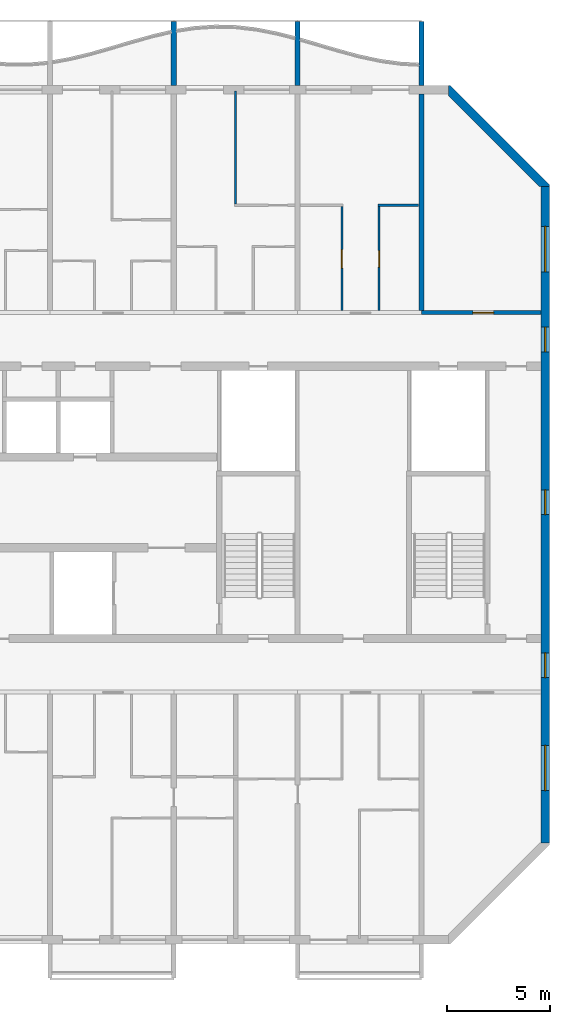
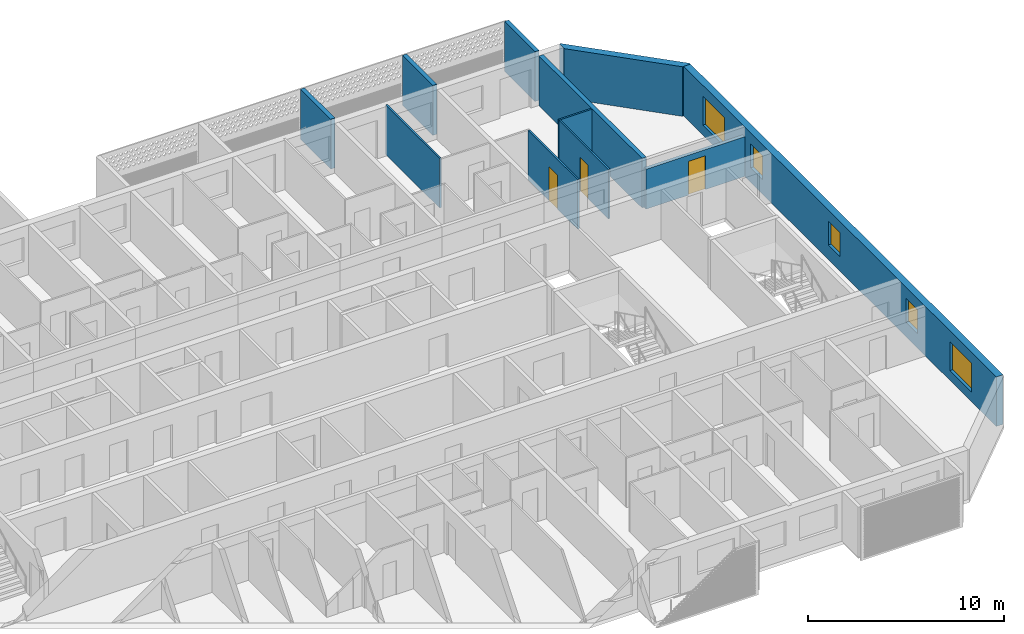
# One storey, part 11 of 28: 11 walls, 5 windows, 3 doors, 8 openings.
"""IFC4 building model written with IfcOpenShell, lengths in metres."""

from ifc_helpers import new_model, si_unit, direction, frame, frame_2d, origin, place, context, subcontext, project, spatial, polyline, rectangle, outline, extrude, source, transform, mapped, material, layer, layer_set, type_object, element, fill, save


model = new_model("IFC4")

# Units and contexts
model_context = context("Model", 3, precision=1e-05, world=origin(), true_north=direction((0.0, 1.0)))
body_context = subcontext(model_context, "Body", "Model", "MODEL_VIEW")
ifc_project = project(units=[si_unit("LENGTHUNIT", "METRE"), si_unit("AREAUNIT", "SQUARE_METRE"), si_unit("VOLUMEUNIT", "CUBIC_METRE"), si_unit("PLANEANGLEUNIT", "RADIAN"), si_unit("MASSUNIT", "GRAM", prefix="KILO")], contexts=[model_context])

# Site, building, storey
site_placement = place(None, origin())
site = spatial("IfcSite", under=ifc_project, at=site_placement, CompositionType="ELEMENT")
building_placement = place(site_placement, origin())
building = spatial("IfcBuilding", under=site, at=building_placement, Name="Poui Terraces", CompositionType="ELEMENT")
storey_placement = place(building_placement, frame((0.0, 0.0, 181.800048828125)))
storey = spatial("IfcBuildingStorey", under=building, at=storey_placement, Name="L50", CompositionType="ELEMENT", Elevation=181.800048828125)

# Wall, opening, door
ifc_material_1 = material(Name="Concrete 50 MPa", Category="concrete")
ifc_layer_1 = layer(ifc_material_1, 0.199951171875)
ifc_layer_set_1 = layer_set([ifc_layer_1], Name="Concrete 50 MPa")
wall_type_1 = type_object("IfcWallType", Name="CORRIDOR WALL 200 50MPa", PredefinedType="SHEAR", material=ifc_layer_set_1)
wall_1_placement = place(storey_placement, frame((78.0, 30.39990234375, 0.0), z_axis=(0.0, 0.0, 1.0), x_axis=(1.0, 0.0, 0.0)))
wall_1 = element("IfcWall", 1, at=wall_1_placement, inside=storey, type_object=wall_type_1, Name="CORRIDOR WALL LINE E BAY 11", PredefinedType="SHEAR", context=body_context, shape_type="SweptSolid", body=[
    extrude(rectangle(XDim=5.800048828125, YDim=0.199951171875, at=frame_2d((2.89990234375, 0.0))), origin(), (0.0, 0.0, 1.0), 2.47998046875),
])
opening_1_placement = place(wall_1_placement, frame((2.5, 0.0, 0.0)))
opening_1 = element("IfcOpeningElement", 2, at=opening_1_placement, cuts=wall_1, Name="Opening D100", PredefinedType="OPENING", context=body_context, shape_type="SweptSolid", body=[
    extrude(rectangle(XDim=1.0, YDim=2.10009765625, at=frame_2d((0.5, 1.050048828125))), frame((0.0, 0.10986328125, 0.0), z_axis=(0.0, -1.0, 0.0), x_axis=(1.0, 0.0, 0.0)), (0.0, 0.0, 1.0), 0.219970703125),
])
ifc_material_2 = material(Name="Solid core timber door", Category="wood")
door_type_1 = type_object("IfcDoorType", Name="ACCESSIBLE INTERNAL DOOR 1000 X 2100", OperationType="NOTDEFINED", PredefinedType="DOOR", material=ifc_material_2)
door_1_placement = place(opening_1_placement, origin())
door_1 = element("IfcDoor", 3, at=door_1_placement, inside=storey, type_object=door_type_1, Name="ACCESSIBLE INTERNAL DOOR 063", OperationType="SINGLE_SWING_LEFT", OverallHeight=2.10009765625, OverallWidth=1.0, PredefinedType="DOOR", context=body_context, shape_type="SweptSolid", body=[
    extrude(rectangle(XDim=1.0, YDim=2.10009765625, at=frame_2d((0.5, 1.050048828125))), frame((0.0, 0.02490234375, 0.0), z_axis=(0.0, -1.0, 0.0), x_axis=(1.0, 0.0, 0.0)), (0.0, 0.0, 1.0), 0.050048828125),
])
fill(opening_1, door_1)

# Wall
ifc_layer_2 = layer(ifc_material_1, 0.25)
ifc_layer_set_2 = layer_set([ifc_layer_2], Name="Concrete 50 MPa")
wall_type_2 = type_object("IfcWallType", Name="CROSS WALL 250 50MPa", PredefinedType="SHEAR", material=ifc_layer_set_2)
wall_2_placement = place(storey_placement, frame((78.0, 30.5, 0.0), z_axis=(0.0, 0.0, 1.0), x_axis=(0.0, 1.0, 0.0)))
element("IfcWall", 4, at=wall_2_placement, inside=storey, type_object=wall_type_2, Name="CROSS WALL LINE 14 NORTH", PredefinedType="SHEAR", context=body_context, shape_type="SweptSolid", body=[
    extrude(rectangle(XDim=10.5, YDim=0.25, at=frame_2d((5.25, 0.0))), origin(), (0.0, 0.0, 1.0), 3.079833984375),
])

# Wall, openings, windows
ifc_layer_3 = layer(ifc_material_1, 0.39990234375)
ifc_layer_set_3 = layer_set([ifc_layer_3], Name="Concrete 50 MPa")
wall_type_3 = type_object("IfcWallType", Name="END WALL 400 50MPa", PredefinedType="SHEAR", material=ifc_layer_set_3)
wall_3_placement = place(storey_placement, frame((84.0, 4.682861328125, 0.0), z_axis=(0.0, 0.0, 1.0), x_axis=(0.0, 1.0, 0.0)))
wall_3 = element("IfcWall", 5, at=wall_3_placement, inside=storey, type_object=wall_type_3, Name="END WALL EAST", PredefinedType="SHEAR", context=body_context, shape_type="SweptSolid", body=[
    extrude(rectangle(XDim=31.834228515625, YDim=0.39990234375, at=frame_2d((15.9169921875, 0.0))), origin(), (0.0, 0.0, 1.0), 3.079833984375),
])
opening_2_placement = place(wall_3_placement, frame((23.817138671875, 0.0, 0.89990234375)))
opening_2 = element("IfcOpeningElement", 6, at=opening_2_placement, cuts=wall_3, Name="Opening W2", PredefinedType="OPENING", context=body_context, shape_type="SweptSolid", body=[
    extrude(rectangle(XDim=1.199951171875, YDim=1.5, at=frame_2d((0.60009765625, 0.75))), frame((0.0, 0.2099609375, 0.0), z_axis=(0.0, -1.0, 0.0), x_axis=(1.0, 0.0, 0.0)), (0.0, 0.0, 1.0), 0.419921875),
])
opening_3_placement = place(wall_3_placement, frame((8.01708984375, 0.0, 0.89990234375)))
opening_3 = element("IfcOpeningElement", 7, at=opening_3_placement, cuts=wall_3, Name="Opening W2", PredefinedType="OPENING", context=body_context, shape_type="SweptSolid", body=[
    extrude(rectangle(XDim=1.199951171875, YDim=1.5, at=frame_2d((0.60009765625, 0.75))), frame((0.0, 0.2099609375, 0.0), z_axis=(0.0, -1.0, 0.0), x_axis=(1.0, 0.0, 0.0)), (0.0, 0.0, 1.0), 0.419921875),
])
opening_4_placement = place(wall_3_placement, frame((27.693603515625, 0.0, 0.60009765625)))
opening_4 = element("IfcOpeningElement", 8, at=opening_4_placement, cuts=wall_3, Name="Opening W3", PredefinedType="OPENING", context=body_context, shape_type="SweptSolid", body=[
    extrude(rectangle(XDim=2.199951171875, YDim=1.800048828125, at=frame_2d((1.10009765625, 0.89990234375))), frame((0.0, 0.2099609375, 0.0), z_axis=(0.0, -1.0, 0.0), x_axis=(1.0, 0.0, 0.0)), (0.0, 0.0, 1.0), 0.419921875),
])
opening_5_placement = place(wall_3_placement, frame((2.541015625, 0.0, 0.60009765625)))
opening_5 = element("IfcOpeningElement", 9, at=opening_5_placement, cuts=wall_3, Name="Opening W3", PredefinedType="OPENING", context=body_context, shape_type="SweptSolid", body=[
    extrude(rectangle(XDim=2.199951171875, YDim=1.800048828125, at=frame_2d((1.10009765625, 0.89990234375))), frame((0.0, 0.2099609375, 0.0), z_axis=(0.0, -1.0, 0.0), x_axis=(1.0, 0.0, 0.0)), (0.0, 0.0, 1.0), 0.419921875),
])
opening_6_placement = place(wall_3_placement, frame((15.917236328125, 0.0, 0.89990234375)))
opening_6 = element("IfcOpeningElement", 10, at=opening_6_placement, cuts=wall_3, Name="Opening W2", PredefinedType="OPENING", context=body_context, shape_type="SweptSolid", body=[
    extrude(rectangle(XDim=1.199951171875, YDim=1.5, at=frame_2d((0.60009765625, 0.75))), frame((0.0, 0.2099609375, 0.0), z_axis=(0.0, -1.0, 0.0), x_axis=(1.0, 0.0, 0.0)), (0.0, 0.0, 1.0), 0.419921875),
])
ifc_material_3 = material(Name="Clear glass in aluminium frame", Category="aluminium")
window_type_1 = type_object("IfcWindowType", Name="WINDOW 1200X1500", PartitioningType="SINGLE_PANEL", PredefinedType="WINDOW", material=ifc_material_3)
window_1_placement = place(opening_2_placement, origin())
window_1 = element("IfcWindow", 11, at=window_1_placement, inside=storey, type_object=window_type_1, Name="W2 WINDOW", OverallHeight=1.5, OverallWidth=1.199951171875, PartitioningType="SINGLE_PANEL", PredefinedType="WINDOW", context=body_context, shape_type="SweptSolid", body=[
    extrude(rectangle(XDim=1.199951171875, YDim=1.5, at=frame_2d((0.60009765625, 0.75))), frame((0.0, 0.030029296875, 0.0), z_axis=(0.0, -1.0, 0.0), x_axis=(1.0, 0.0, 0.0)), (0.0, 0.0, 1.0), 0.06005859375),
])
fill(opening_2, window_1)
window_2_placement = place(opening_3_placement, origin())
window_2 = element("IfcWindow", 12, at=window_2_placement, inside=storey, type_object=window_type_1, Name="W2 WINDOW", OverallHeight=1.5, OverallWidth=1.199951171875, PartitioningType="SINGLE_PANEL", PredefinedType="WINDOW", context=body_context, shape_type="SweptSolid", body=[
    extrude(rectangle(XDim=1.199951171875, YDim=1.5, at=frame_2d((0.60009765625, 0.75))), frame((0.0, 0.030029296875, 0.0), z_axis=(0.0, -1.0, 0.0), x_axis=(1.0, 0.0, 0.0)), (0.0, 0.0, 1.0), 0.06005859375),
])
fill(opening_3, window_2)
window_3_placement = place(opening_6_placement, origin())
window_3 = element("IfcWindow", 13, at=window_3_placement, inside=storey, type_object=window_type_1, Name="W2 WINDOW", OverallHeight=1.5, OverallWidth=1.199951171875, PartitioningType="SINGLE_PANEL", PredefinedType="WINDOW", context=body_context, shape_type="SweptSolid", body=[
    extrude(rectangle(XDim=1.199951171875, YDim=1.5, at=frame_2d((0.60009765625, 0.75))), frame((0.0, 0.030029296875, 0.0), z_axis=(0.0, -1.0, 0.0), x_axis=(1.0, 0.0, 0.0)), (0.0, 0.0, 1.0), 0.06005859375),
])
fill(opening_6, window_3)
window_type_2 = type_object("IfcWindowType", Name="WINDOW 2200X1800", PartitioningType="DOUBLE_PANEL_HORIZONTAL", PredefinedType="WINDOW", material=ifc_material_3)
window_4_placement = place(opening_4_placement, origin())
window_4 = element("IfcWindow", 14, at=window_4_placement, inside=storey, type_object=window_type_2, Name="W3 WINDOW", OverallHeight=1.800048828125, OverallWidth=2.199951171875, PartitioningType="DOUBLE_PANEL_HORIZONTAL", PredefinedType="WINDOW", context=body_context, shape_type="SweptSolid", body=[
    extrude(rectangle(XDim=2.199951171875, YDim=1.800048828125, at=frame_2d((1.10009765625, 0.89990234375))), frame((0.0, 0.030029296875, 0.0), z_axis=(0.0, -1.0, 0.0), x_axis=(1.0, 0.0, 0.0)), (0.0, 0.0, 1.0), 0.06005859375),
])
fill(opening_4, window_4)
window_5_placement = place(opening_5_placement, origin())
window_5 = element("IfcWindow", 15, at=window_5_placement, inside=storey, type_object=window_type_2, Name="W3 WINDOW", OverallHeight=1.800048828125, OverallWidth=2.199951171875, PartitioningType="DOUBLE_PANEL_HORIZONTAL", PredefinedType="WINDOW", context=body_context, shape_type="SweptSolid", body=[
    extrude(rectangle(XDim=2.199951171875, YDim=1.800048828125, at=frame_2d((1.10009765625, 0.89990234375))), frame((0.0, 0.030029296875, 0.0), z_axis=(0.0, -1.0, 0.0), x_axis=(1.0, 0.0, 0.0)), (0.0, 0.0, 1.0), 0.06005859375),
])
fill(opening_5, window_5)

# Walls
ifc_material_4 = material(Name="Plasterboard partition")
ifc_layer_4 = layer(ifc_material_4, 0.10009765625)
ifc_layer_set_4 = layer_set([ifc_layer_4], Name="Plasterboard partition")
wall_type_4 = type_object("IfcWallType", Name="FLAT PARTITION 100", PredefinedType="PARTITIONING", material=ifc_layer_set_4)
wall_4_placement = place(storey_placement, frame((75.89990234375, 35.60009765625, 0.0), z_axis=(0.0, 0.0, 1.0), x_axis=(1.0, 0.0, 0.0)))
element("IfcWall", 16, at=wall_4_placement, inside=storey, type_object=wall_type_4, Name="FLAT PARTITION 100", PredefinedType="PARTITIONING", context=body_context, shape_type="SweptSolid", body=[
    extrude(rectangle(XDim=1.965087890625, YDim=0.10009765625, at=frame_2d((0.982421875, 0.0))), origin(), (0.0, 0.0, 1.0), 3.079833984375),
])
wall_5_placement = place(storey_placement, frame((69.0, 35.64990234375, 0.0), z_axis=(0.0, 0.0, 1.0), x_axis=(0.0, 1.0, 0.0)))
element("IfcWall", 17, at=wall_5_placement, inside=storey, type_object=wall_type_4, Name="FLAT PARTITION 100", PredefinedType="PARTITIONING", context=body_context, shape_type="SweptSolid", body=[
    extrude(rectangle(XDim=5.489990234375, YDim=0.10009765625, at=frame_2d((2.7451171875, 0.0))), origin(), (0.0, 0.0, 1.0), 3.079833984375),
])

# Wall, opening, door
wall_6_placement = place(storey_placement, frame((74.14990234375, 30.510009765625, 0.0), z_axis=(0.0, 0.0, 1.0), x_axis=(0.0, 1.0, 0.0)))
wall_6 = element("IfcWall", 18, at=wall_6_placement, inside=storey, type_object=wall_type_4, Name="FLAT PARTITION 100", PredefinedType="PARTITIONING", context=body_context, shape_type="SweptSolid", body=[
    extrude(rectangle(XDim=5.0400390625, YDim=0.10009765625, at=frame_2d((2.52001953125, 0.0))), origin(), (0.0, 0.0, 1.0), 3.079833984375),
])
opening_7_placement = place(wall_6_placement, frame((2.0400390625, 0.0, 0.0)))
opening_7 = element("IfcOpeningElement", 19, at=opening_7_placement, cuts=wall_6, Name="Opening D90", PredefinedType="OPENING", context=body_context, shape_type="SweptSolid", body=[
    extrude(rectangle(XDim=0.89990234375, YDim=2.10009765625, at=frame_2d((0.449951171875, 1.050048828125))), frame((0.0, 0.06005859375, 0.0), z_axis=(0.0, -1.0, 0.0), x_axis=(1.0, 0.0, 0.0)), (0.0, 0.0, 1.0), 0.1201171875),
])
door_type_2 = type_object("IfcDoorType", Name="INTERNAL DOOR 900 X 2100", OperationType="NOTDEFINED", PredefinedType="DOOR", material=ifc_material_2)
door_2_placement = place(opening_7_placement, origin())
door_2 = element("IfcDoor", 20, at=door_2_placement, inside=storey, type_object=door_type_2, Name="INTERNAL DOOR 060", OperationType="SINGLE_SWING_LEFT", OverallHeight=2.10009765625, OverallWidth=0.89990234375, PredefinedType="DOOR", context=body_context, shape_type="SweptSolid", body=[
    extrude(rectangle(XDim=0.89990234375, YDim=2.10009765625, at=frame_2d((0.449951171875, 1.050048828125))), frame((0.0, 0.02490234375, 0.0), z_axis=(0.0, -1.0, 0.0), x_axis=(1.0, 0.0, 0.0)), (0.0, 0.0, 1.0), 0.050048828125),
])
fill(opening_7, door_2)

wall_7_placement = place(storey_placement, frame((75.949951171875, 30.510009765625, 0.0), z_axis=(0.0, 0.0, 1.0), x_axis=(0.0, 1.0, 0.0)))
wall_7 = element("IfcWall", 21, at=wall_7_placement, inside=storey, type_object=wall_type_4, Name="FLAT PARTITION 100", PredefinedType="PARTITIONING", context=body_context, shape_type="SweptSolid", body=[
    extrude(rectangle(XDim=5.0400390625, YDim=0.10009765625, at=frame_2d((2.52001953125, 0.0))), origin(), (0.0, 0.0, 1.0), 3.079833984375),
])
opening_8_placement = place(wall_7_placement, frame((2.090087890625, 0.0, 0.0)))
opening_8 = element("IfcOpeningElement", 22, at=opening_8_placement, cuts=wall_7, Name="Opening D80", PredefinedType="OPENING", context=body_context, shape_type="SweptSolid", body=[
    extrude(rectangle(XDim=0.800048828125, YDim=2.10009765625, at=frame_2d((0.39990234375, 1.050048828125))), frame((0.0, 0.06005859375, 0.0), z_axis=(0.0, -1.0, 0.0), x_axis=(1.0, 0.0, 0.0)), (0.0, 0.0, 1.0), 0.1201171875),
])
door_type_3 = type_object("IfcDoorType", Name="BATHROOM, LAUNDRY AND STORE DOOR 800 X 2100", OperationType="NOTDEFINED", PredefinedType="DOOR", material=ifc_material_2)
door_3_placement = place(opening_8_placement, frame((0.800048828125, 0.0, 0.0), z_axis=(0.0, 0.0, 1.0), x_axis=(-1.0, 0.0, 0.0)))
door_3 = element("IfcDoor", 23, at=door_3_placement, inside=storey, type_object=door_type_3, Name="BATHROOM, LAUNDRY AND STORE DOOR 062", OperationType="SINGLE_SWING_LEFT", OverallHeight=2.10009765625, OverallWidth=0.800048828125, PredefinedType="DOOR", context=body_context, shape_type="SweptSolid", body=[
    extrude(rectangle(XDim=0.800048828125, YDim=2.10009765625, at=frame_2d((0.39990234375, 1.050048828125))), frame((0.0, 0.02490234375, 0.0), z_axis=(0.0, -1.0, 0.0), x_axis=(1.0, 0.0, 0.0)), (0.0, 0.0, 1.0), 0.050048828125),
])
fill(opening_8, door_3)

# Walls
ifc_material_5 = material(Name="Precast concrete 40 MPa", Category="concrete")
ifc_layer_5 = layer(ifc_material_5, 0.39990234375)
ifc_layer_set_5 = layer_set([ifc_layer_5], Name="Precast concrete 40 MPa")
wall_type_5 = type_object("IfcWallType", Name="TERRACOTTA CLAD CHAMFER WALL 400", PredefinedType="STANDARD", material=ifc_layer_set_5)
wall_8_placement = place(storey_placement, origin())
element("IfcWall", 24, at=wall_8_placement, inside=storey, type_object=wall_type_5, Name="CHAMFER WALL CH03", PredefinedType="STANDARD", context=body_context, shape_type="SweptSolid", body=[
    extrude(outline(polyline([(84.199951171875, 36.51708984375), (84.199951171875, 36.60009765625), (79.39990234375, 41.39990234375), (79.317138671875, 41.39990234375), (79.317138671875, 40.917236328125), (83.71728515625, 36.51708984375), (84.199951171875, 36.51708984375)])), origin(), (0.0, 0.0, 1.0), 3.079833984375),
])
ifc_layer_6 = layer(ifc_material_5, 0.25)
ifc_layer_set_6 = layer_set([ifc_layer_6], Name="Precast concrete 40 MPa")
wall_type_6 = type_object("IfcWallType", Name="BALCONY FIN 250", PredefinedType="STANDARD", material=ifc_layer_set_6)
shared_shape = source(origin(), body_context, "Body", "SweptSolid", [
    extrude(outline(polyline([(0.0, 0.0), (0.25, 0.0), (0.25, 3.10009765625), (0.0, 3.10009765625), (0.0, 0.0)])), origin(), (0.0, 0.0, 1.0), 3.099853515625),
])
for number, where, name in (
    (25, (65.875, 41.39990234375, 0.0), "BALCONY FIN"),
    (26, (71.875, 41.39990234375, 0.0), "BALCONY FIN"),
    (27, (77.875, 41.39990234375, 0.0), "BALCONY FIN"),
):
    element("IfcWall", number, at=place(storey_placement, frame(where)), inside=storey, type_object=wall_type_6, Name=name, PredefinedType="STANDARD", context=body_context, shape_type="MappedRepresentation", body=[
        mapped(shared_shape, transform((0.0, 0.0, 0.0))),
    ])

save(model, "model.ifc")
